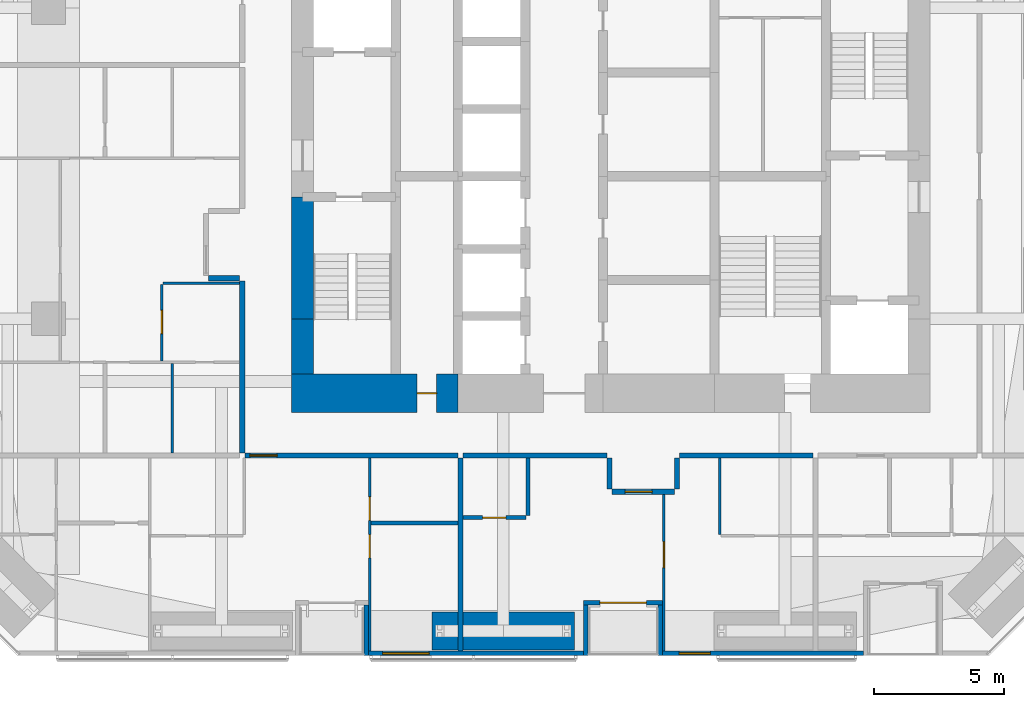
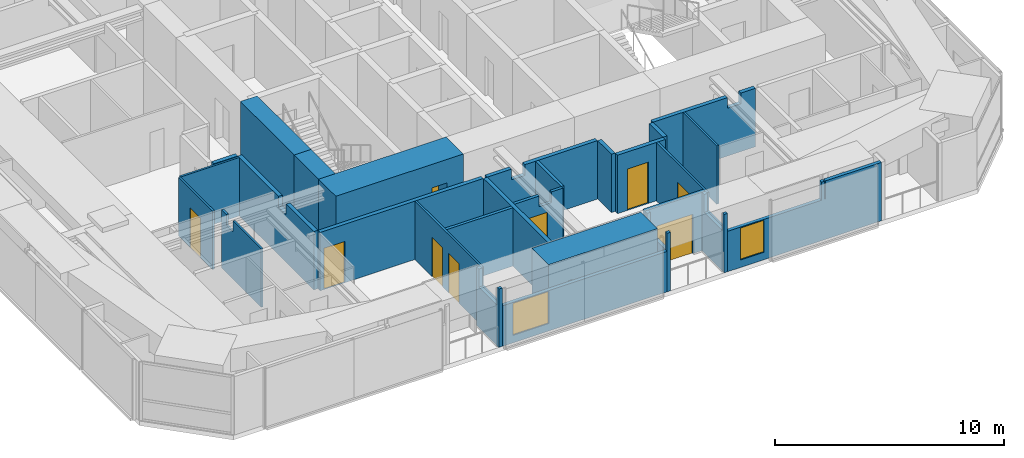
# One storey, part 17 of 23: 28 walls, 9 doors, 2 windows, 11 openings.
"""IFC4 building model written with IfcOpenShell, lengths in metres."""

from ifc_helpers import new_model, si_unit, direction, frame, frame_2d, origin, place, context, subcontext, project, spatial, polyline, rectangle, outline, extrude, material, layer, layer_set, constituent, constituent_set, type_object, element, fill, save


model = new_model("IFC4")

# Units and contexts
model_context = context("Model", 3, precision=1e-05, world=origin(), true_north=direction((0.0, 1.0)))
body_context = subcontext(model_context, "Body", "Model", "MODEL_VIEW")
ifc_project = project(units=[si_unit("LENGTHUNIT", "METRE"), si_unit("AREAUNIT", "SQUARE_METRE"), si_unit("VOLUMEUNIT", "CUBIC_METRE"), si_unit("PLANEANGLEUNIT", "RADIAN"), si_unit("MASSUNIT", "GRAM", prefix="KILO")], contexts=[model_context])

# Site, building, storey
site_placement = place(None, origin())
site = spatial("IfcSite", under=ifc_project, at=site_placement, CompositionType="ELEMENT")
building_placement = place(site_placement, origin())
building = spatial("IfcBuilding", under=site, at=building_placement, Name="Jalousie Tower", CompositionType="ELEMENT")
storey_placement = place(building_placement, frame((0.0, 0.0, 108.199951171875)))
storey = spatial("IfcBuildingStorey", under=building, at=storey_placement, Name="L29", CompositionType="ELEMENT", Elevation=108.199951171875)

# Wall
ifc_material_1 = material(Name="Concrete block ASTM C90", Category="concrete")
ifc_constituent_1 = constituent(ifc_material_1, Name="Body")
ifc_material_2 = material(Name="Render")
ifc_constituent_2 = constituent(ifc_material_2, Name="Finish")
ifc_constituent_set_1 = constituent_set(constituents=[ifc_constituent_1, ifc_constituent_2])
wall_type_1 = type_object("IfcWallType", Name="BATHROOM WALL 150", PredefinedType="PLUMBINGWALL", material=ifc_constituent_set_1)
wall_1_placement = place(storey_placement, frame((22.64990234375, 5.125, 0.0), z_axis=(0.0, 0.0, 1.0), x_axis=(1.0, 0.0, 0.0)))
element("IfcWall", 1, at=wall_1_placement, inside=storey, type_object=wall_type_1, Name="Bathroom Wall 150 L29", PredefinedType="PLUMBINGWALL", context=body_context, shape_type="SweptSolid", body=[
    extrude(rectangle(XDim=3.35009765625, YDim=0.14990234375, at=frame_2d((1.675048828125, 0.0))), origin(), (0.0, 0.0, 1.0), 3.110107421875),
])

# Wall, opening, door
wall_2_placement = place(storey_placement, frame((26.199951171875, 5.324951171875, 0.0), z_axis=(0.0, 0.0, 1.0), x_axis=(1.0, 0.0, 0.0)))
wall_2 = element("IfcWall", 2, at=wall_2_placement, inside=storey, type_object=wall_type_1, Name="Bathroom Wall 150 L29", PredefinedType="PLUMBINGWALL", context=body_context, shape_type="SweptSolid", body=[
    extrude(outline(polyline([(0.0, 0.0), (2.425048828125, 0.0), (2.425048828125, 3.110107421875), (1.8623046875, 3.110107421875), (1.8623046875, 2.541015625), (1.237548828125, 2.541015625), (1.237548828125, 3.110107421875), (0.0, 3.110107421875), (0.0, 0.0)])), frame((0.0, 0.074951171875, 0.0), z_axis=(0.0, -1.0, 0.0), x_axis=(1.0, 0.0, 0.0)), (0.0, 0.0, 1.0), 0.14990234375),
])
opening_1_placement = place(wall_2_placement, frame((0.75, 0.0, 0.0)))
opening_1 = element("IfcOpeningElement", 3, at=opening_1_placement, cuts=wall_2, Name="Opening D3", PredefinedType="OPENING", context=body_context, shape_type="SweptSolid", body=[
    extrude(rectangle(XDim=0.89990234375, YDim=2.10009765625, at=frame_2d((0.449951171875, 1.050048828125))), frame((0.0, 0.0849609375, 0.0), z_axis=(0.0, -1.0, 0.0), x_axis=(1.0, 0.0, 0.0)), (0.0, 0.0, 1.0), 0.169921875),
])
ifc_material_3 = material(Name="Timber door", Category="wood")
door_type_1 = type_object("IfcDoorType", Name="BATHROOM DOOR 900", OperationType="SINGLE_SWING_LEFT", PredefinedType="DOOR", material=ifc_material_3)
door_1_placement = place(opening_1_placement, origin())
door_1 = element("IfcDoor", 4, at=door_1_placement, inside=storey, type_object=door_type_1, Name="Apartment 2902 bathroom door", OperationType="SINGLE_SWING_LEFT", OverallHeight=2.10009765625, OverallWidth=0.89990234375, PredefinedType="DOOR", context=body_context, shape_type="SweptSolid", body=[
    extrude(rectangle(XDim=0.89990234375, YDim=2.10009765625, at=frame_2d((0.449951171875, 1.050048828125))), frame((0.0, 0.02490234375, 0.0), z_axis=(0.0, -1.0, 0.0), x_axis=(1.0, 0.0, 0.0)), (0.0, 0.0, 1.0), 0.050048828125),
])
fill(opening_1, door_1)

# Wall
wall_3_placement = place(storey_placement, frame((28.699951171875, 5.39990234375, 0.0), z_axis=(0.0, 0.0, 1.0), x_axis=(0.0, 1.0, 0.0)))
element("IfcWall", 5, at=wall_3_placement, inside=storey, type_object=wall_type_1, Name="Bathroom Wall 150 L29", PredefinedType="PLUMBINGWALL", context=body_context, shape_type="SweptSolid", body=[
    extrude(rectangle(XDim=2.22509765625, YDim=0.14990234375, at=frame_2d((1.112548828125, 0.0))), origin(), (0.0, 0.0, 1.0), 3.110107421875),
])

# Wall, opening, door
ifc_material_4 = material(Name="Concrete f'c 120 MPa", Category="concrete")
ifc_layer_1 = layer(ifc_material_4, 1.5)
ifc_layer_set_1 = layer_set([ifc_layer_1], Name="Concrete f'c 120 MPa")
wall_type_2 = type_object("IfcWallType", Name="CORE WALL 1500", PredefinedType="SHEAR", material=ifc_layer_set_1)
wall_4_placement = place(storey_placement, frame((19.574951171875, 10.125, 0.0), z_axis=(0.0, 0.0, 1.0), x_axis=(1.0, 0.0, 0.0)))
wall_4 = element("IfcWall", 6, at=wall_4_placement, inside=storey, type_object=wall_type_2, Name="Core wall SA L29", PredefinedType="SHEAR", context=body_context, shape_type="SweptSolid", body=[
    extrude(rectangle(XDim=6.425048828125, YDim=1.5, at=frame_2d((3.21240234375, 0.0))), origin(), (0.0, 0.0, 1.0), 3.35009765625),
])
opening_2_placement = place(wall_4_placement, frame((4.85009765625, 0.0, 0.0)))
opening_2 = element("IfcOpeningElement", 7, at=opening_2_placement, cuts=wall_4, Name="Opening D16", PredefinedType="OPENING", context=body_context, shape_type="SweptSolid", body=[
    extrude(rectangle(XDim=0.75, YDim=2.10009765625, at=frame_2d((0.375, 1.050048828125))), frame((0.0, 0.760009765625, 0.0), z_axis=(0.0, -1.0, 0.0), x_axis=(1.0, 0.0, 0.0)), (0.0, 0.0, 1.0), 1.52001953125),
])
ifc_material_5 = material(Name="Steel fire door", Category="steel")
door_type_2 = type_object("IfcDoorType", Name="RISER DOOR 750", OperationType="SINGLE_SWING_LEFT", PredefinedType="DOOR", material=ifc_material_5)
door_2_placement = place(opening_2_placement, origin())
door_2 = element("IfcDoor", 8, at=door_2_placement, inside=storey, type_object=door_type_2, Name="South riser door", OperationType="SINGLE_SWING_LEFT", OverallHeight=2.10009765625, OverallWidth=0.75, PredefinedType="DOOR", context=body_context, shape_type="SweptSolid", body=[
    extrude(rectangle(XDim=0.75, YDim=2.10009765625, at=frame_2d((0.375, 1.050048828125))), frame((0.0, 0.02490234375, 0.0), z_axis=(0.0, -1.0, 0.0), x_axis=(1.0, 0.0, 0.0)), (0.0, 0.0, 1.0), 0.050048828125),
])
fill(opening_2, door_2)

# Walls
ifc_material_6 = material(Name="Concrete f'c 120 MPa", Category="concrete")
ifc_layer_2 = layer(ifc_material_6, 0.85009765625)
ifc_layer_set_2 = layer_set([ifc_layer_2], Name="Concrete f'c 120 MPa")
wall_type_3 = type_object("IfcWallType", Name="CORE WALL 850", PredefinedType="SHEAR", material=ifc_layer_set_2)
wall_5_placement = place(storey_placement, frame((20.0, 17.699951171875, 0.0), z_axis=(0.0, 0.0, 1.0), x_axis=(0.0, -1.0, 0.0)))
element("IfcWall", 9, at=wall_5_placement, inside=storey, type_object=wall_type_3, Name="Core wall WC L29", PredefinedType="SHEAR", context=body_context, shape_type="SweptSolid", body=[
    extrude(rectangle(XDim=4.699951171875, YDim=0.85009765625, at=frame_2d((2.35009765625, 0.0))), origin(), (0.0, 0.0, 1.0), 3.35009765625),
])
wall_6_placement = place(storey_placement, frame((20.0, 13.0, 0.0), z_axis=(0.0, 0.0, 1.0), x_axis=(0.0, -1.0, 0.0)))
element("IfcWall", 10, at=wall_6_placement, inside=storey, type_object=wall_type_3, Name="Core wall WD L29", PredefinedType="SHEAR", context=body_context, shape_type="SweptSolid", body=[
    extrude(rectangle(XDim=2.125, YDim=0.85009765625, at=frame_2d((1.0625, 0.0))), origin(), (0.0, 0.0, 1.0), 3.35009765625),
])

# Wall, opening, door
ifc_material_7 = material(Name="Concrete block ASTM C90", Category="concrete")
ifc_constituent_3 = constituent(ifc_material_7, Name="Body")
ifc_material_8 = material(Name="Render")
ifc_constituent_4 = constituent(ifc_material_8, Name="Finish")
ifc_constituent_set_2 = constituent_set(constituents=[ifc_constituent_3, ifc_constituent_4])
wall_type_4 = type_object("IfcWallType", Name="CORRIDOR WALL 200", PredefinedType="PARTITIONING", material=ifc_constituent_set_2)
wall_7_placement = place(storey_placement, frame((17.77490234375, 7.72509765625, 0.0), z_axis=(0.0, 0.0, 1.0), x_axis=(1.0, 0.0, 0.0)))
wall_7 = element("IfcWall", 11, at=wall_7_placement, inside=storey, type_object=wall_type_4, Name="Corridor Wall 200 L29", PredefinedType="PARTITIONING", context=body_context, shape_type="SweptSolid", body=[
    extrude(rectangle(XDim=8.22509765625, YDim=0.199951171875, at=frame_2d((4.112548828125, 0.0))), origin(), (0.0, 0.0, 1.0), 3.110107421875),
])
opening_3_placement = place(wall_7_placement, frame((0.199951171875, 0.0, 0.0)))
opening_3 = element("IfcOpeningElement", 12, at=opening_3_placement, cuts=wall_7, Name="Opening D1", PredefinedType="OPENING", context=body_context, shape_type="SweptSolid", body=[
    extrude(rectangle(XDim=1.050048828125, YDim=2.199951171875, at=frame_2d((0.52490234375, 1.10009765625))), frame((0.0, 0.10986328125, 0.0), z_axis=(0.0, -1.0, 0.0), x_axis=(1.0, 0.0, 0.0)), (0.0, 0.0, 1.0), 0.219970703125),
])
ifc_material_9 = material(Name="Timber fire door", Category="wood")
door_type_3 = type_object("IfcDoorType", Name="APARTMENT ENTRANCE DOOR 1050", OperationType="SINGLE_SWING_LEFT", PredefinedType="DOOR", material=ifc_material_9)
door_3_placement = place(opening_3_placement, frame((1.050048828125, 0.0, 0.0), z_axis=(0.0, 0.0, 1.0), x_axis=(-1.0, 0.0, 0.0)))
door_3 = element("IfcDoor", 13, at=door_3_placement, inside=storey, type_object=door_type_3, Name="Apartment 2901 entrance", OperationType="SINGLE_SWING_RIGHT", OverallHeight=2.199951171875, OverallWidth=1.050048828125, PredefinedType="DOOR", context=body_context, shape_type="SweptSolid", body=[
    extrude(rectangle(XDim=1.050048828125, YDim=2.199951171875, at=frame_2d((0.52490234375, 1.10009765625))), frame((0.0, 0.02490234375, 0.0), z_axis=(0.0, -1.0, 0.0), x_axis=(1.0, 0.0, 0.0)), (0.0, 0.0, 1.0), 0.050048828125),
])
fill(opening_3, door_3)

# Walls
wall_8_placement = place(storey_placement, frame((26.199951171875, 7.72509765625, 0.0), z_axis=(0.0, 0.0, 1.0), x_axis=(1.0, 0.0, 0.0)))
element("IfcWall", 14, at=wall_8_placement, inside=storey, type_object=wall_type_4, Name="Corridor Wall 200 L29", PredefinedType="PARTITIONING", context=body_context, shape_type="SweptSolid", body=[
    extrude(outline(polyline([(0.0, 0.0), (5.550048828125, 0.0), (5.550048828125, 3.110107421875), (1.88720703125, 3.110107421875), (1.88720703125, 2.541015625), (1.212646484375, 2.541015625), (1.212646484375, 3.110107421875), (0.0, 3.110107421875), (0.0, 0.0)])), frame((0.0, 0.10009765625, 0.0), z_axis=(0.0, -1.0, 0.0), x_axis=(1.0, 0.0, 0.0)), (0.0, 0.0, 1.0), 0.199951171875),
])
wall_9_placement = place(storey_placement, frame((17.675048828125, 7.824951171875, 0.0), z_axis=(0.0, 0.0, 1.0), x_axis=(0.0, 1.0, 0.0)))
element("IfcWall", 15, at=wall_9_placement, inside=storey, type_object=wall_type_4, Name="Corridor Wall 200 L29", PredefinedType="PARTITIONING", context=body_context, shape_type="SweptSolid", body=[
    extrude(outline(polyline([(0.0, 0.0), (6.637451171875, 0.0), (6.637451171875, 3.110107421875), (3.08740234375, 3.110107421875), (3.08740234375, 2.541015625), (2.41259765625, 2.541015625), (2.41259765625, 3.110107421875), (0.0, 3.110107421875), (0.0, 0.0)])), frame((0.0, 0.10009765625, 0.0), z_axis=(0.0, -1.0, 0.0), x_axis=(1.0, 0.0, 0.0)), (0.0, 0.0, 1.0), 0.199951171875),
])
wall_10_placement = place(storey_placement, frame((34.550048828125, 7.72509765625, 0.0), z_axis=(0.0, 0.0, 1.0), x_axis=(1.0, 0.0, 0.0)))
element("IfcWall", 16, at=wall_10_placement, inside=storey, type_object=wall_type_4, Name="Corridor Wall 200 L29", PredefinedType="PARTITIONING", context=body_context, shape_type="SweptSolid", body=[
    extrude(outline(polyline([(0.0, 0.0), (5.14990234375, 0.0), (5.14990234375, 3.110107421875), (4.412353515625, 3.110107421875), (4.412353515625, 2.541015625), (3.737548828125, 2.541015625), (3.737548828125, 3.110107421875), (0.0, 3.110107421875), (0.0, 0.0)])), frame((0.0, 0.10009765625, 0.0), z_axis=(0.0, -1.0, 0.0), x_axis=(1.0, 0.0, 0.0)), (0.0, 0.0, 1.0), 0.199951171875),
])

# Wall, opening, door
wall_11_placement = place(storey_placement, frame((31.949951171875, 6.324951171875, 0.0), z_axis=(0.0, 0.0, 1.0), x_axis=(1.0, 0.0, 0.0)))
wall_11 = element("IfcWall", 17, at=wall_11_placement, inside=storey, type_object=wall_type_4, Name="Corridor Wall 200 L29", PredefinedType="PARTITIONING", context=body_context, shape_type="SweptSolid", body=[
    extrude(rectangle(XDim=2.400146484375, YDim=0.199951171875, at=frame_2d((1.2001953125, 0.0))), origin(), (0.0, 0.0, 1.0), 3.110107421875),
])
opening_4_placement = place(wall_11_placement, frame((0.5, 0.0, 0.0)))
opening_4 = element("IfcOpeningElement", 18, at=opening_4_placement, cuts=wall_11, Name="Opening D1", PredefinedType="OPENING", context=body_context, shape_type="SweptSolid", body=[
    extrude(rectangle(XDim=1.050048828125, YDim=2.199951171875, at=frame_2d((0.52490234375, 1.10009765625))), frame((0.0, 0.10986328125, 0.0), z_axis=(0.0, -1.0, 0.0), x_axis=(1.0, 0.0, 0.0)), (0.0, 0.0, 1.0), 0.219970703125),
])
door_4_placement = place(opening_4_placement, frame((1.050048828125, 0.0, 0.0), z_axis=(0.0, 0.0, 1.0), x_axis=(-1.0, 0.0, 0.0)))
door_4 = element("IfcDoor", 19, at=door_4_placement, inside=storey, type_object=door_type_3, Name="Apartment 2902 entrance", OperationType="SINGLE_SWING_LEFT", OverallHeight=2.199951171875, OverallWidth=1.050048828125, PredefinedType="DOOR", context=body_context, shape_type="SweptSolid", body=[
    extrude(rectangle(XDim=1.050048828125, YDim=2.199951171875, at=frame_2d((0.52490234375, 1.10009765625))), frame((0.0, 0.02490234375, 0.0), z_axis=(0.0, -1.0, 0.0), x_axis=(1.0, 0.0, 0.0)), (0.0, 0.0, 1.0), 0.050048828125),
])
fill(opening_4, door_4)

# Walls
for number, where, z_axis, x_axis, name in (
    (20, (31.85009765625, 7.625, 0.0), (0.0, 0.0, 1.0), (0.0, -1.0, 0.0), "Corridor Wall 200 L29"),
    (21, (34.449951171875, 7.625, 0.0), (0.0, 0.0, 1.0), (0.0, -1.0, 0.0), "Corridor Wall 200 L29"),
    (22, (17.574951171875, 14.5625, 0.0), (0.0, 0.0, 1.0), (-1.0, 0.0, 0.0), "Corridor Wall 200 L29"),
):
    element("IfcWall", number, at=place(storey_placement, frame(where, z_axis=z_axis, x_axis=x_axis)), inside=storey, type_object=wall_type_4, Name=name, PredefinedType="PARTITIONING", context=body_context, shape_type="SweptSolid", body=[
        extrude(rectangle(XDim=1.199951171875, YDim=0.199951171875, at=frame_2d((0.60009765625, 0.0))), origin(), (0.0, 0.0, 1.0), 3.110107421875),
    ])

# Wall, opening, window
ifc_material_10 = material(Name="Concrete f'c 40 MPa", Category="concrete")
ifc_constituent_5 = constituent(ifc_material_10, Name="Body")
ifc_material_11 = material(Name="Render, pastel sea green")
ifc_constituent_6 = constituent(ifc_material_11, Name="Finish")
ifc_constituent_set_3 = constituent_set(constituents=[ifc_constituent_5, ifc_constituent_6])
wall_type_5 = type_object("IfcWallType", Name="EXTERNAL WALL 175 SEA GREEN RENDER", PredefinedType="SOLIDWALL", material=ifc_constituent_set_3)
wall_12_placement = place(storey_placement, frame((22.550048828125, 0.08740234375, 0.0), z_axis=(0.0, 0.0, 1.0), x_axis=(1.0, 0.0, 0.0)))
wall_12 = element("IfcWall", 23, at=wall_12_placement, inside=storey, type_object=wall_type_5, Name="External Wall 175 Sea Green Render L29", PredefinedType="SOLIDWALL", context=body_context, shape_type="SweptSolid", body=[
    extrude(rectangle(XDim=8.300048828125, YDim=0.175048828125, at=frame_2d((4.14990234375, 0.0))), origin(), (0.0, 0.0, 1.0), 2.150146484375),
])
opening_5_placement = place(wall_12_placement, frame((0.5400390625, 0.0, 0.39990234375)))
opening_5 = element("IfcOpeningElement", 24, at=opening_5_placement, cuts=wall_12, Name="Opening W-BED170", PredefinedType="OPENING", context=body_context, shape_type="SweptSolid", body=[
    extrude(rectangle(XDim=1.800048828125, YDim=1.699951171875, at=frame_2d((0.89990234375, 0.85009765625))), frame((0.0, 0.097412109375, 0.0), z_axis=(0.0, -1.0, 0.0), x_axis=(1.0, 0.0, 0.0)), (0.0, 0.0, 1.0), 0.195068359375),
])
ifc_material_12 = material(Name="Aluminium frame, impact-rated glazing", Category="aluminium")
window_type_1 = type_object("IfcWindowType", Name="WINDOW BED 1800x1700", PartitioningType="SINGLE_PANEL", PredefinedType="WINDOW", material=ifc_material_12)
window_1_placement = place(opening_5_placement, origin())
window_1 = element("IfcWindow", 25, at=window_1_placement, inside=storey, type_object=window_type_1, Name="Apartment 2901 bedroom 3 window", OverallHeight=1.699951171875, OverallWidth=1.800048828125, PartitioningType="SINGLE_PANEL", PredefinedType="WINDOW", context=body_context, shape_type="SweptSolid", body=[
    extrude(rectangle(XDim=1.800048828125, YDim=1.699951171875, at=frame_2d((0.89990234375, 0.85009765625))), frame((0.0, 0.030029296875, 0.0), z_axis=(0.0, -1.0, 0.0), x_axis=(1.0, 0.0, 0.0)), (0.0, 0.0, 1.0), 0.06005859375),
])
fill(opening_5, window_1)

wall_13_placement = place(storey_placement, frame((33.89990234375, 0.08740234375, 0.0), z_axis=(0.0, 0.0, 1.0), x_axis=(1.0, 0.0, 0.0)))
wall_13 = element("IfcWall", 26, at=wall_13_placement, inside=storey, type_object=wall_type_5, Name="External Wall 175 Sea Green Render L29", PredefinedType="SOLIDWALL", context=body_context, shape_type="SweptSolid", body=[
    extrude(outline(polyline([(0.0, 0.0), (7.75, 0.0), (7.75, 3.110107421875), (4.92822265625, 3.110107421875), (4.92822265625, 2.150146484375), (4.883056640625, 2.150146484375), (4.883056640625, 3.110107421875), (4.72509765625, 3.110107421875), (4.72509765625, 2.150146484375), (0.0, 2.150146484375), (0.0, 0.0)])), frame((0.0, 0.08740234375, 0.0), z_axis=(0.0, -1.0, 0.0), x_axis=(1.0, 0.0, 0.0)), (0.0, 0.0, 1.0), 0.175048828125),
])
opening_6_placement = place(wall_13_placement, frame((0.639892578125, 0.0, 0.39990234375)))
opening_6 = element("IfcOpeningElement", 27, at=opening_6_placement, cuts=wall_13, Name="Opening W-COR170", PredefinedType="OPENING", context=body_context, shape_type="SweptSolid", body=[
    extrude(rectangle(XDim=1.199951171875, YDim=1.699951171875, at=frame_2d((0.60009765625, 0.85009765625))), frame((0.0, 0.097412109375, 0.0), z_axis=(0.0, -1.0, 0.0), x_axis=(1.0, 0.0, 0.0)), (0.0, 0.0, 1.0), 0.195068359375),
])
ifc_material_13 = material(Name="Aluminium frame, impact-rated glazing", Category="aluminium")
window_type_2 = type_object("IfcWindowType", Name="WINDOW COR 1200x1700", PartitioningType="SINGLE_PANEL", PredefinedType="WINDOW", material=ifc_material_13)
window_2_placement = place(opening_6_placement, origin())
window_2 = element("IfcWindow", 28, at=window_2_placement, inside=storey, type_object=window_type_2, Name="Apartment 2902 dining room window", OverallHeight=1.699951171875, OverallWidth=1.199951171875, PartitioningType="SINGLE_PANEL", PredefinedType="WINDOW", context=body_context, shape_type="SweptSolid", body=[
    extrude(rectangle(XDim=1.199951171875, YDim=1.699951171875, at=frame_2d((0.60009765625, 0.85009765625))), frame((0.0, 0.030029296875, 0.0), z_axis=(0.0, -1.0, 0.0), x_axis=(1.0, 0.0, 0.0)), (0.0, 0.0, 1.0), 0.06005859375),
])
fill(opening_6, window_2)

# Wall
wall_14_placement = place(storey_placement, frame((22.46240234375, 0.0, 0.0), z_axis=(0.0, 0.0, 1.0), x_axis=(0.0, 1.0, 0.0)))
element("IfcWall", 29, at=wall_14_placement, inside=storey, type_object=wall_type_5, Name="External Wall 175 Sea Green Render L29", PredefinedType="SOLIDWALL", context=body_context, shape_type="SweptSolid", body=[
    extrude(outline(polyline([(0.0, 0.0), (1.949951171875, 0.0), (1.949951171875, 3.110107421875), (1.75, 3.110107421875), (1.75, 2.150146484375), (0.14990234375, 2.150146484375), (0.14990234375, 3.110107421875), (0.0, 3.110107421875), (0.0, 0.0)])), frame((0.0, 0.08740234375, 0.0), z_axis=(0.0, -1.0, 0.0), x_axis=(1.0, 0.0, 0.0)), (0.0, 0.0, 1.0), 0.175048828125),
])

# Wall, opening, door
wall_15_placement = place(storey_placement, frame((30.85009765625, 2.03759765625, 0.0), z_axis=(0.0, 0.0, 1.0), x_axis=(1.0, 0.0, 0.0)))
wall_15 = element("IfcWall", 30, at=wall_15_placement, inside=storey, type_object=wall_type_5, Name="External Wall 175 Sea Green Render L29", PredefinedType="SOLIDWALL", context=body_context, shape_type="SweptSolid", body=[
    extrude(rectangle(XDim=3.0498046875, YDim=0.175048828125, at=frame_2d((1.52490234375, 0.0))), origin(), (0.0, 0.0, 1.0), 3.110107421875),
])
opening_7_placement = place(wall_15_placement, frame((0.625, 0.0, 0.0)))
opening_7 = element("IfcOpeningElement", 31, at=opening_7_placement, cuts=wall_15, Name="Opening D-BAL21", PredefinedType="OPENING", context=body_context, shape_type="SweptSolid", body=[
    extrude(rectangle(XDim=1.800048828125, YDim=2.10009765625, at=frame_2d((0.89990234375, 1.050048828125))), frame((0.0, 0.097412109375, 0.0), z_axis=(0.0, -1.0, 0.0), x_axis=(1.0, 0.0, 0.0)), (0.0, 0.0, 1.0), 0.195068359375),
])
ifc_material_14 = material(Name="Aluminium frame, impact-rated glazing", Category="aluminium")
door_type_4 = type_object("IfcDoorType", Name="BALCONY DOOR 1800x2100", OperationType="SLIDING_TO_LEFT", PredefinedType="DOOR", material=ifc_material_14)
door_5_placement = place(opening_7_placement, origin())
door_5 = element("IfcDoor", 32, at=door_5_placement, inside=storey, type_object=door_type_4, Name="Apartment 2902 studio living and sleeping room loggia door", OperationType="SLIDING_TO_LEFT", OverallHeight=2.10009765625, OverallWidth=1.800048828125, PredefinedType="DOOR", context=body_context, shape_type="SweptSolid", body=[
    extrude(rectangle(XDim=1.800048828125, YDim=2.10009765625, at=frame_2d((0.89990234375, 1.050048828125))), frame((0.0, 0.02490234375, 0.0), z_axis=(0.0, -1.0, 0.0), x_axis=(1.0, 0.0, 0.0)), (0.0, 0.0, 1.0), 0.050048828125),
])
fill(opening_7, door_5)

# Walls
for number, where, z_axis, x_axis, name in (
    (33, (30.9375, 0.0, 0.0), (0.0, 0.0, 1.0), (0.0, 1.0, 0.0), "External Wall 175 Sea Green Render L29"),
    (34, (33.8125, 0.0, 0.0), (0.0, 0.0, 1.0), (0.0, 1.0, 0.0), "External Wall 175 Sea Green Render L29"),
):
    element("IfcWall", number, at=place(storey_placement, frame(where, z_axis=z_axis, x_axis=x_axis)), inside=storey, type_object=wall_type_5, Name=name, PredefinedType="SOLIDWALL", context=body_context, shape_type="SweptSolid", body=[
        extrude(outline(polyline([(0.0, 0.0), (1.949951171875, 0.0), (1.949951171875, 3.110107421875), (1.75, 3.110107421875), (1.75, 2.150146484375), (0.14990234375, 2.150146484375), (0.14990234375, 3.110107421875), (0.0, 3.110107421875), (0.0, 0.0)])), frame((0.0, 0.08740234375, 0.0), z_axis=(0.0, -1.0, 0.0), x_axis=(1.0, 0.0, 0.0)), (0.0, 0.0, 1.0), 0.175048828125),
    ])

# Wall, openings, doors
ifc_material_15 = material(Name="Gypsum board", Category="gypsum")
ifc_constituent_7 = constituent(ifc_material_15, Name="Body")
ifc_material_16 = material(Name="Light-gauge steel studs ASTM A653 SS Grade 33", Category="steel")
ifc_constituent_8 = constituent(ifc_material_16, Name="Framing")
ifc_constituent_set_4 = constituent_set(constituents=[ifc_constituent_7, ifc_constituent_8])
wall_type_6 = type_object("IfcWallType", Name="PARTITION 100", PredefinedType="PARTITIONING", material=ifc_constituent_set_4)
wall_16_placement = place(storey_placement, frame((22.60009765625, 0.175048828125, 0.0), z_axis=(0.0, 0.0, 1.0), x_axis=(0.0, 1.0, 0.0)))
wall_16 = element("IfcWall", 35, at=wall_16_placement, inside=storey, type_object=wall_type_6, Name="Partition 100 L29", PredefinedType="PARTITIONING", context=body_context, shape_type="SweptSolid", body=[
    extrude(outline(polyline([(0.0, 0.0), (7.449951171875, 0.0), (7.449951171875, 3.110107421875), (1.635009765625, 3.110107421875), (1.635009765625, 2.150146484375), (0.0, 2.150146484375), (0.0, 3.110107421875), (0.0, 0.0)])), frame((0.0, 0.050048828125, 0.0), z_axis=(0.0, -1.0, 0.0), x_axis=(1.0, 0.0, 0.0)), (0.0, 0.0, 1.0), 0.10009765625),
])
opening_8_placement = place(wall_16_placement, frame((3.60009765625, 0.0, 0.0)))
opening_8 = element("IfcOpeningElement", 36, at=opening_8_placement, cuts=wall_16, Name="Opening D2", PredefinedType="OPENING", context=body_context, shape_type="SweptSolid", body=[
    extrude(rectangle(XDim=0.89990234375, YDim=2.10009765625, at=frame_2d((0.449951171875, 1.050048828125))), frame((0.0, 0.06005859375, 0.0), z_axis=(0.0, -1.0, 0.0), x_axis=(1.0, 0.0, 0.0)), (0.0, 0.0, 1.0), 0.1201171875),
])
opening_9_placement = place(wall_16_placement, frame((5.050048828125, 0.0, 0.0)))
opening_9 = element("IfcOpeningElement", 37, at=opening_9_placement, cuts=wall_16, Name="Opening D7", PredefinedType="OPENING", context=body_context, shape_type="SweptSolid", body=[
    extrude(rectangle(XDim=0.89990234375, YDim=2.10009765625, at=frame_2d((0.449951171875, 1.050048828125))), frame((0.0, 0.06005859375, 0.0), z_axis=(0.0, -1.0, 0.0), x_axis=(1.0, 0.0, 0.0)), (0.0, 0.0, 1.0), 0.1201171875),
])
ifc_material_17 = material(Name="Timber door", Category="wood")
door_type_5 = type_object("IfcDoorType", Name="BEDROOM DOOR 900", OperationType="SINGLE_SWING_LEFT", PredefinedType="DOOR", material=ifc_material_17)
door_6_placement = place(opening_8_placement, frame((0.89990234375, 0.0, 0.0), z_axis=(0.0, 0.0, 1.0), x_axis=(-1.0, 0.0, 0.0)))
door_6 = element("IfcDoor", 38, at=door_6_placement, inside=storey, type_object=door_type_5, Name="Apartment 2901 bedroom 3 door", OperationType="SINGLE_SWING_LEFT", OverallHeight=2.10009765625, OverallWidth=0.89990234375, PredefinedType="DOOR", context=body_context, shape_type="SweptSolid", body=[
    extrude(rectangle(XDim=0.89990234375, YDim=2.10009765625, at=frame_2d((0.449951171875, 1.050048828125))), frame((0.0, 0.02490234375, 0.0), z_axis=(0.0, -1.0, 0.0), x_axis=(1.0, 0.0, 0.0)), (0.0, 0.0, 1.0), 0.050048828125),
])
fill(opening_8, door_6)
ifc_material_18 = material(Name="Timber door", Category="wood")
door_type_6 = type_object("IfcDoorType", Name="INTERNAL DOOR 900", OperationType="SINGLE_SWING_LEFT", PredefinedType="DOOR", material=ifc_material_18)
door_7_placement = place(opening_9_placement, frame((0.89990234375, 0.0, 0.0), z_axis=(0.0, 0.0, 1.0), x_axis=(-1.0, 0.0, 0.0)))
door_7 = element("IfcDoor", 39, at=door_7_placement, inside=storey, type_object=door_type_6, Name="Apartment 2901 bathroom door", OperationType="SINGLE_SWING_RIGHT", OverallHeight=2.10009765625, OverallWidth=0.89990234375, PredefinedType="DOOR", context=body_context, shape_type="SweptSolid", body=[
    extrude(rectangle(XDim=0.89990234375, YDim=2.10009765625, at=frame_2d((0.449951171875, 1.050048828125))), frame((0.0, 0.02490234375, 0.0), z_axis=(0.0, -1.0, 0.0), x_axis=(1.0, 0.0, 0.0)), (0.0, 0.0, 1.0), 0.050048828125),
])
fill(opening_9, door_7)

# Wall
wall_17_placement = place(storey_placement, frame((36.10009765625, 4.675048828125, 0.0), z_axis=(0.0, 0.0, 1.0), x_axis=(0.0, 1.0, 0.0)))
element("IfcWall", 40, at=wall_17_placement, inside=storey, type_object=wall_type_6, Name="Partition 100 L29", PredefinedType="PARTITIONING", context=body_context, shape_type="SweptSolid", body=[
    extrude(rectangle(XDim=2.949951171875, YDim=0.10009765625, at=frame_2d((1.47509765625, 0.0))), origin(), (0.0, 0.0, 1.0), 3.110107421875),
])

# Wall, opening, door
wall_18_placement = place(storey_placement, frame((33.949951171875, 0.175048828125, 0.0), z_axis=(0.0, 0.0, 1.0), x_axis=(0.0, 1.0, 0.0)))
wall_18 = element("IfcWall", 41, at=wall_18_placement, inside=storey, type_object=wall_type_6, Name="Partition 100 L29", PredefinedType="PARTITIONING", context=body_context, shape_type="SweptSolid", body=[
    extrude(outline(polyline([(0.0, 0.0), (6.050048828125, 0.0), (6.050048828125, 3.110107421875), (1.635009765625, 3.110107421875), (1.635009765625, 2.150146484375), (0.0, 2.150146484375), (0.0, 3.110107421875), (0.0, 0.0)])), frame((0.0, 0.050048828125, 0.0), z_axis=(0.0, -1.0, 0.0), x_axis=(1.0, 0.0, 0.0)), (0.0, 0.0, 1.0), 0.10009765625),
])
opening_10_placement = place(wall_18_placement, frame((3.22509765625, 0.0, 0.0)))
opening_10 = element("IfcOpeningElement", 42, at=opening_10_placement, cuts=wall_18, Name="Opening D6", PredefinedType="OPENING", context=body_context, shape_type="SweptSolid", body=[
    extrude(rectangle(XDim=1.0, YDim=2.10009765625, at=frame_2d((0.5, 1.050048828125))), frame((0.0, 0.06005859375, 0.0), z_axis=(0.0, -1.0, 0.0), x_axis=(1.0, 0.0, 0.0)), (0.0, 0.0, 1.0), 0.1201171875),
])
ifc_material_19 = material(Name="Timber door", Category="wood")
door_type_7 = type_object("IfcDoorType", Name="INTERNAL DOOR 1000", OperationType="SINGLE_SWING_LEFT", PredefinedType="DOOR", material=ifc_material_19)
door_8_placement = place(opening_10_placement, frame((1.0, 0.0, 0.0), z_axis=(0.0, 0.0, 1.0), x_axis=(-1.0, 0.0, 0.0)))
door_8 = element("IfcDoor", 43, at=door_8_placement, inside=storey, type_object=door_type_7, Name="Apartment 2902 dining room door", OperationType="SINGLE_SWING_LEFT", OverallHeight=2.10009765625, OverallWidth=1.0, PredefinedType="DOOR", context=body_context, shape_type="SweptSolid", body=[
    extrude(rectangle(XDim=1.0, YDim=2.10009765625, at=frame_2d((0.5, 1.050048828125))), frame((0.0, 0.02490234375, 0.0), z_axis=(0.0, -1.0, 0.0), x_axis=(1.0, 0.0, 0.0)), (0.0, 0.0, 1.0), 0.050048828125),
])
fill(opening_10, door_8)

# Wall
wall_19_placement = place(storey_placement, frame((14.97509765625, 7.824951171875, 0.0), z_axis=(0.0, 0.0, 1.0), x_axis=(0.0, 1.0, 0.0)))
element("IfcWall", 44, at=wall_19_placement, inside=storey, type_object=wall_type_6, Name="Partition 100 L29", PredefinedType="PARTITIONING", context=body_context, shape_type="SweptSolid", body=[
    extrude(outline(polyline([(0.0, 0.0), (3.449951171875, 0.0), (3.449951171875, 3.110107421875), (3.037353515625, 3.110107421875), (3.037353515625, 2.541015625), (2.462646484375, 2.541015625), (2.462646484375, 3.110107421875), (0.0, 3.110107421875), (0.0, 0.0)])), frame((0.0, 0.050048828125, 0.0), z_axis=(0.0, -1.0, 0.0), x_axis=(1.0, 0.0, 0.0)), (0.0, 0.0, 1.0), 0.10009765625),
])

# Wall, opening, door
wall_20_placement = place(storey_placement, frame((14.574951171875, 11.375, 0.0), z_axis=(0.0, 0.0, 1.0), x_axis=(0.0, 1.0, 0.0)))
wall_20 = element("IfcWall", 45, at=wall_20_placement, inside=storey, type_object=wall_type_6, Name="Partition 100 L29", PredefinedType="PARTITIONING", context=body_context, shape_type="SweptSolid", body=[
    extrude(rectangle(XDim=2.949951171875, YDim=0.10009765625, at=frame_2d((1.47509765625, 0.0))), origin(), (0.0, 0.0, 1.0), 3.110107421875),
])
opening_11_placement = place(wall_20_placement, frame((1.050048828125, 0.0, 0.0)))
opening_11 = element("IfcOpeningElement", 46, at=opening_11_placement, cuts=wall_20, Name="Opening D7", PredefinedType="OPENING", context=body_context, shape_type="SweptSolid", body=[
    extrude(rectangle(XDim=0.89990234375, YDim=2.10009765625, at=frame_2d((0.449951171875, 1.050048828125))), frame((0.0, 0.06005859375, 0.0), z_axis=(0.0, -1.0, 0.0), x_axis=(1.0, 0.0, 0.0)), (0.0, 0.0, 1.0), 0.1201171875),
])
door_9_placement = place(opening_11_placement, frame((0.89990234375, 0.0, 0.0), z_axis=(0.0, 0.0, 1.0), x_axis=(-1.0, 0.0, 0.0)))
door_9 = element("IfcDoor", 47, at=door_9_placement, inside=storey, type_object=door_type_6, Name="Apartment 2905 kitchen door", OperationType="SINGLE_SWING_LEFT", OverallHeight=2.10009765625, OverallWidth=0.89990234375, PredefinedType="DOOR", context=body_context, shape_type="SweptSolid", body=[
    extrude(rectangle(XDim=0.89990234375, YDim=2.10009765625, at=frame_2d((0.449951171875, 1.050048828125))), frame((0.0, 0.02490234375, 0.0), z_axis=(0.0, -1.0, 0.0), x_axis=(1.0, 0.0, 0.0)), (0.0, 0.0, 1.0), 0.050048828125),
])
fill(opening_11, door_9)

# Walls
wall_21_placement = place(storey_placement, frame((14.625, 14.375, 0.0), z_axis=(0.0, 0.0, 1.0), x_axis=(1.0, 0.0, 0.0)))
element("IfcWall", 48, at=wall_21_placement, inside=storey, type_object=wall_type_6, Name="Partition 100 L29", PredefinedType="PARTITIONING", context=body_context, shape_type="SweptSolid", body=[
    extrude(rectangle(XDim=2.949951171875, YDim=0.10009765625, at=frame_2d((1.47509765625, 0.0))), origin(), (0.0, 0.0, 1.0), 3.110107421875),
])
ifc_material_20 = material(Name="Concrete block ASTM C90", Category="concrete")
ifc_constituent_9 = constituent(ifc_material_20, Name="Body")
ifc_material_21 = material(Name="Render")
ifc_constituent_10 = constituent(ifc_material_21, Name="Finish")
ifc_constituent_set_5 = constituent_set(constituents=[ifc_constituent_9, ifc_constituent_10])
wall_type_7 = type_object("IfcWallType", Name="PARTY WALL 200", PredefinedType="PARTITIONING", material=ifc_constituent_set_5)
wall_22_placement = place(storey_placement, frame((26.10009765625, 0.175048828125, 0.0), z_axis=(0.0, 0.0, 1.0), x_axis=(0.0, 1.0, 0.0)))
element("IfcWall", 49, at=wall_22_placement, inside=storey, type_object=wall_type_7, Name="Party Wall 200 L29", PredefinedType="PARTITIONING", context=body_context, shape_type="SweptSolid", body=[
    extrude(outline(polyline([(0.52880859375, 2.150146484375), (0.0, 2.150146484375), (0.0, 0.0), (0.52880859375, 0.0), (0.52880859375, 0.376220703125), (1.021240234375, 0.376220703125), (1.021240234375, 0.0), (7.449951171875, 0.0), (7.449951171875, 3.110107421875), (1.68505859375, 3.110107421875), (1.68505859375, 2.150146484375), (1.021240234375, 2.150146484375), (1.021240234375, 1.77392578125), (0.52880859375, 1.77392578125), (0.52880859375, 2.150146484375)])), frame((0.0, 0.10009765625, 0.0), z_axis=(0.0, -1.0, 0.0), x_axis=(1.0, 0.0, 0.0)), (0.0, 0.0, 1.0), 0.199951171875),
])
ifc_material_22 = material(Name="Concrete f'c 120 MPa", Category="concrete")
ifc_layer_3 = layer(ifc_material_22, 1.449951171875)
ifc_layer_set_3 = layer_set([ifc_layer_3], Name="Concrete f'c 120 MPa")
wall_type_8 = type_object("IfcWallType", Name="RC WALL PIER 1450", PredefinedType="SHEAR", material=ifc_layer_set_3)
wall_23_placement = place(storey_placement, frame((25.0, 0.949951171875, 0.0), z_axis=(0.0, 0.0, 1.0), x_axis=(1.0, 0.0, 0.0)))
element("IfcWall", 50, at=wall_23_placement, inside=storey, type_object=wall_type_8, Name="Wall pier 03 L29", PredefinedType="SHEAR", context=body_context, shape_type="SweptSolid", body=[
    extrude(rectangle(XDim=5.5, YDim=1.449951171875, at=frame_2d((2.75, 0.0))), origin(), (0.0, 0.0, 1.0), 3.35009765625),
])

save(model, "model.ifc")
